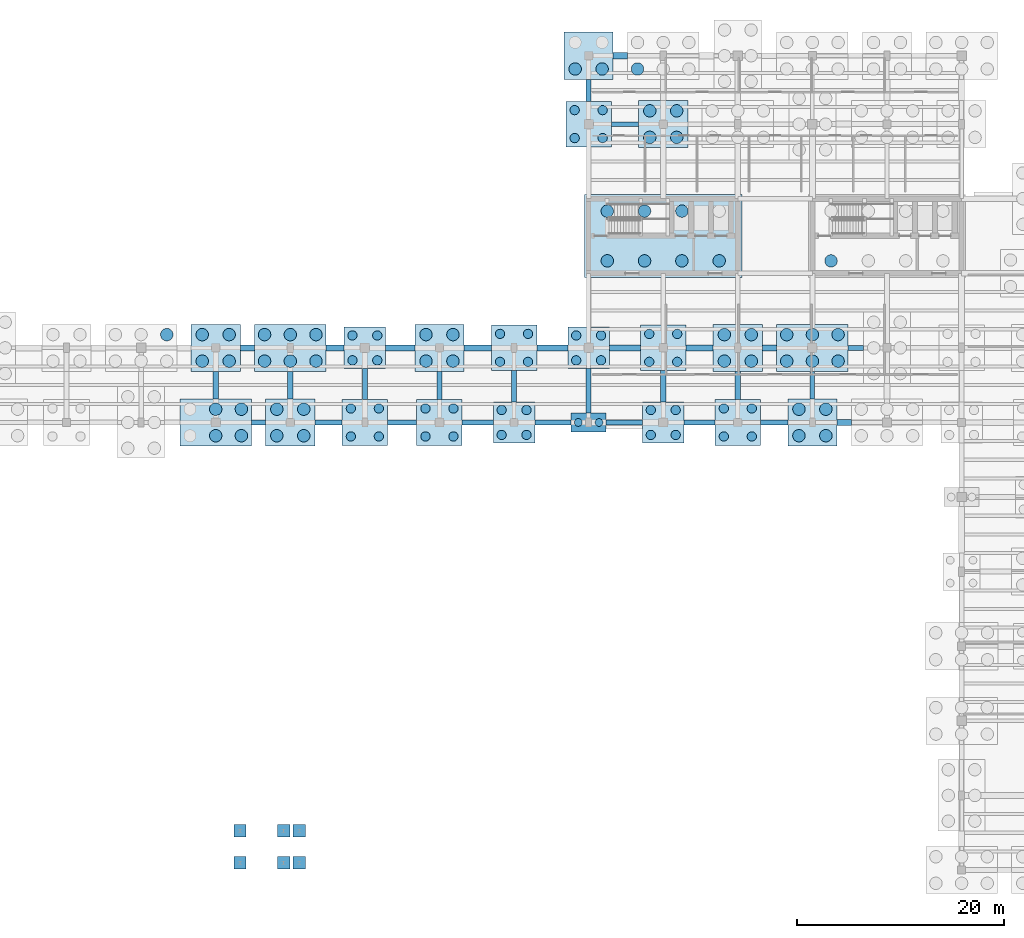
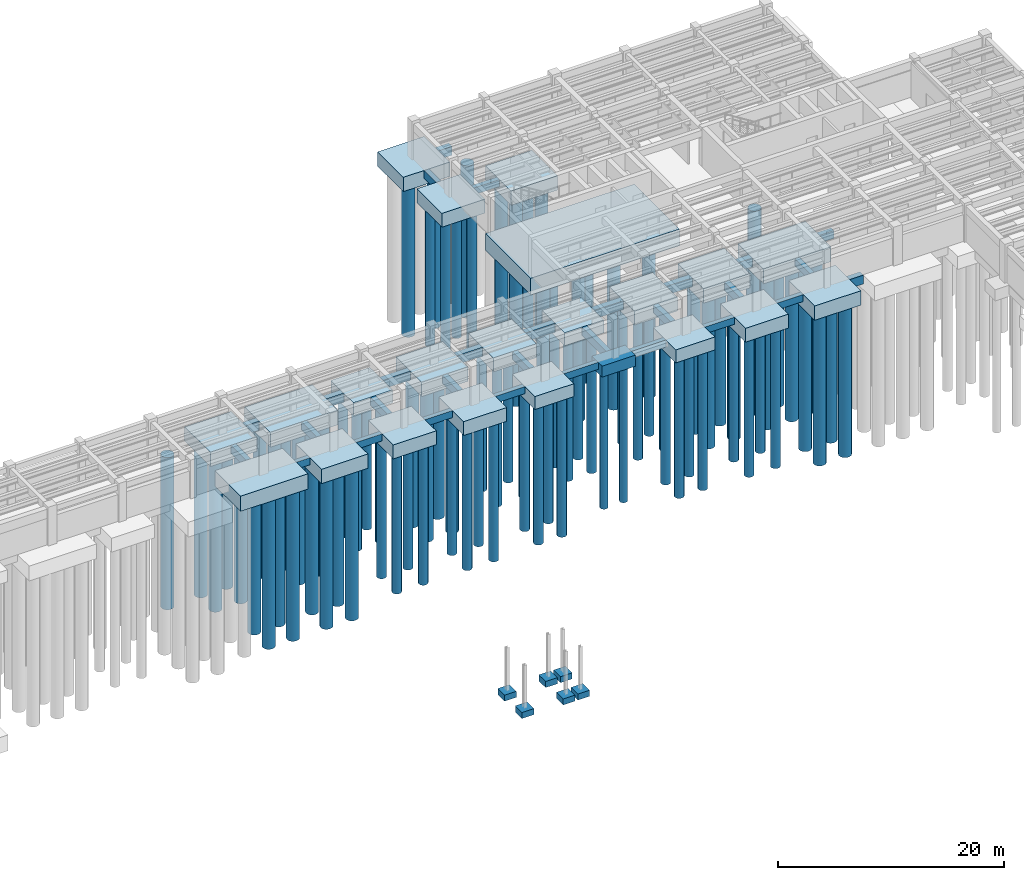
# One storey, part 2 of 22: 94 piles, 58 footings.
"""IFC4 building model written with IfcOpenShell, lengths in metres."""

from ifc_helpers import new_model, si_unit, direction, frame, origin, origin_2d, place, context, subcontext, project, spatial, rectangle, circle, extrude, material, material_profile, profile_set, type_object, element, save


model = new_model("IFC4")

# Units and contexts
model_context = context("Model", 3, precision=1e-05, world=origin(), true_north=direction((0.0, 1.0)))
body_context = subcontext(model_context, "Body", "Model", "MODEL_VIEW")
ifc_project = project(units=[si_unit("LENGTHUNIT", "METRE"), si_unit("AREAUNIT", "SQUARE_METRE"), si_unit("VOLUMEUNIT", "CUBIC_METRE"), si_unit("PLANEANGLEUNIT", "RADIAN"), si_unit("MASSUNIT", "GRAM", prefix="KILO")], contexts=[model_context])

# Site, building, storey
site_placement = place(None, origin())
site = spatial("IfcSite", under=ifc_project, at=site_placement, CompositionType="ELEMENT")
building_placement = place(site_placement, origin())
building = spatial("IfcBuilding", under=site, at=building_placement, Name="Mithqara Police Headquarters", CompositionType="ELEMENT")
storey_placement = place(building_placement, frame((0.0, 0.0, -8.39990234375)))
storey = spatial("IfcBuildingStorey", under=building, at=storey_placement, Name="B2", CompositionType="ELEMENT", Elevation=-8.39990234375)

# Footings
ifc_material = material(Name="Concrete C40/50", Category="concrete")
footing_type_1 = type_object("IfcFootingType", Name="CORE MAT 15200X8000X1800", PredefinedType="PILE_CAP", material=ifc_material)
footing_1_placement = place(storey_placement, frame((115.800048828125, 96.60009765625, -1.80029296875), z_axis=(0.0, 0.0, 1.0), x_axis=(1.0, 0.0, 0.0)))
element("IfcFooting", 1, at=footing_1_placement, inside=storey, type_object=footing_type_1, Name="Core C1 Command West Piled Core Raft", PredefinedType="PILE_CAP", context=body_context, shape_type="SweptSolid", body=[
    extrude(rectangle(XDim=15.199951171875, YDim=8.0, at=origin_2d()), origin(), (0.0, 0.0, 1.0), 1.800048828125),
])
footing_type_2 = type_object("IfcFootingType", Name="GROUND BEAM 450X750", PredefinedType="FOOTING_BEAM", material=ifc_material)
footing_2_placement = place(storey_placement, frame((76.737548828125, 78.60009765625, -0.75), z_axis=(0.0, 0.0, 1.0), x_axis=(1.0, 0.0, 0.0)))
element("IfcFooting", 2, at=footing_2_placement, inside=storey, type_object=footing_type_2, Name="B2 Ground Tie Beam 11-12/M", PredefinedType="FOOTING_BEAM", context=body_context, shape_type="SweptSolid", body=[
    extrude(rectangle(XDim=1.375, YDim=0.449951171875, at=origin_2d()), origin(), (0.0, 0.0, 1.0), 0.75),
])
footing_3_placement = place(storey_placement, frame((83.487548828125, 78.60009765625, -0.75), z_axis=(0.0, 0.0, 1.0), x_axis=(1.0, 0.0, 0.0)))
element("IfcFooting", 3, at=footing_3_placement, inside=storey, type_object=footing_type_2, Name="B2 Ground Tie Beam 12-13/M", PredefinedType="FOOTING_BEAM", context=body_context, shape_type="SweptSolid", body=[
    extrude(rectangle(XDim=2.625, YDim=0.449951171875, at=origin_2d()), origin(), (0.0, 0.0, 1.0), 0.75),
])
footing_4_placement = place(storey_placement, frame((90.60009765625, 78.60009765625, -0.75), z_axis=(0.0, 0.0, 1.0), x_axis=(1.0, 0.0, 0.0)))
element("IfcFooting", 4, at=footing_4_placement, inside=storey, type_object=footing_type_2, Name="B2 Ground Tie Beam 13-14/M", PredefinedType="FOOTING_BEAM", context=body_context, shape_type="SweptSolid", body=[
    extrude(rectangle(XDim=2.800048828125, YDim=0.449951171875, at=origin_2d()), origin(), (0.0, 0.0, 1.0), 0.75),
])
footing_5_placement = place(storey_placement, frame((97.89990234375, 78.60009765625, -0.75), z_axis=(0.0, 0.0, 1.0), x_axis=(1.0, 0.0, 0.0)))
element("IfcFooting", 5, at=footing_5_placement, inside=storey, type_object=footing_type_2, Name="B2 Ground Tie Beam 14-15/M", PredefinedType="FOOTING_BEAM", context=body_context, shape_type="SweptSolid", body=[
    extrude(rectangle(XDim=3.0, YDim=0.449951171875, at=origin_2d()), origin(), (0.0, 0.0, 1.0), 0.75),
])
for number, where, z_axis, x_axis, name in (
    (6, (105.14990234375, 78.60009765625, -0.75), (0.0, 0.0, 1.0), (1.0, 0.0, 0.0), "B2 Ground Tie Beam 15-16/M"),
    (7, (112.050048828125, 78.60009765625, -0.75), (0.0, 0.0, 1.0), (1.0, 0.0, 0.0), "B2 Ground Tie Beam 16-17/M"),
):
    element("IfcFooting", number, at=place(storey_placement, frame(where, z_axis=z_axis, x_axis=x_axis)), inside=storey, type_object=footing_type_2, Name=name, PredefinedType="FOOTING_BEAM", context=body_context, shape_type="SweptSolid", body=[
        extrude(rectangle(XDim=3.5, YDim=0.449951171875, at=origin_2d()), origin(), (0.0, 0.0, 1.0), 0.75),
    ])
footing_6_placement = place(storey_placement, frame((112.112548828125, 107.39990234375, -0.75), z_axis=(0.0, 0.0, 1.0), x_axis=(1.0, 0.0, 0.0)))
element("IfcFooting", 8, at=footing_6_placement, inside=storey, type_object=footing_type_2, Name="B2 Ground Tie Beam 16-17/R", PredefinedType="FOOTING_BEAM", context=body_context, shape_type="SweptSolid", body=[
    extrude(rectangle(XDim=2.625, YDim=0.449951171875, at=origin_2d()), origin(), (0.0, 0.0, 1.0), 0.75),
])
footing_7_placement = place(storey_placement, frame((119.300048828125, 78.60009765625, -0.75), z_axis=(0.0, 0.0, 1.0), x_axis=(1.0, 0.0, 0.0)))
element("IfcFooting", 9, at=footing_7_placement, inside=storey, type_object=footing_type_2, Name="B2 Ground Tie Beam 17-18/M", PredefinedType="FOOTING_BEAM", context=body_context, shape_type="SweptSolid", body=[
    extrude(rectangle(XDim=3.0, YDim=0.449951171875, at=origin_2d()), origin(), (0.0, 0.0, 1.0), 0.75),
])
footing_8_placement = place(storey_placement, frame((126.512451171875, 78.60009765625, -0.75), z_axis=(0.0, 0.0, 1.0), x_axis=(1.0, 0.0, 0.0)))
element("IfcFooting", 10, at=footing_8_placement, inside=storey, type_object=footing_type_2, Name="B2 Ground Tie Beam 18-19/M", PredefinedType="FOOTING_BEAM", context=body_context, shape_type="SweptSolid", body=[
    extrude(rectangle(XDim=2.625, YDim=0.449951171875, at=origin_2d()), origin(), (0.0, 0.0, 1.0), 0.75),
])
footing_9_placement = place(storey_placement, frame((130.199951171875, 82.199951171875, -0.75), z_axis=(0.0, 0.0, 1.0), x_axis=(1.0, 0.0, 0.0)))
element("IfcFooting", 11, at=footing_9_placement, inside=storey, type_object=footing_type_2, Name="B2 Ground Tie Beam 19/M-N", PredefinedType="FOOTING_BEAM", context=body_context, shape_type="SweptSolid", body=[
    extrude(rectangle(XDim=0.449951171875, YDim=2.64990234375, at=origin_2d()), origin(), (0.0, 0.0, 1.0), 0.75),
])
footing_type_3 = type_object("IfcFootingType", Name="GROUND BEAM 500X850", PredefinedType="FOOTING_BEAM", material=ifc_material)
for number, where, z_axis, x_axis, name in (
    (12, (72.60009765625, 82.199951171875, -0.85009765625), (0.0, 0.0, 1.0), (1.0, 0.0, 0.0), "B2 Ground Tie Beam 11/M-N"),
    (13, (79.800048828125, 82.199951171875, -0.85009765625), (0.0, 0.0, 1.0), (1.0, 0.0, 0.0), "B2 Ground Tie Beam 12/M-N"),
):
    element("IfcFooting", number, at=place(storey_placement, frame(where, z_axis=z_axis, x_axis=x_axis)), inside=storey, type_object=footing_type_3, Name=name, PredefinedType="FOOTING_BEAM", context=body_context, shape_type="SweptSolid", body=[
        extrude(rectangle(XDim=0.5, YDim=2.64990234375, at=origin_2d()), origin(), (0.0, 0.0, 1.0), 0.85009765625),
    ])
footing_10_placement = place(storey_placement, frame((87.0, 82.300048828125, -0.85009765625), z_axis=(0.0, 0.0, 1.0), x_axis=(1.0, 0.0, 0.0)))
element("IfcFooting", 14, at=footing_10_placement, inside=storey, type_object=footing_type_3, Name="B2 Ground Tie Beam 13/M-N", PredefinedType="FOOTING_BEAM", context=body_context, shape_type="SweptSolid", body=[
    extrude(rectangle(XDim=0.5, YDim=3.0, at=origin_2d()), origin(), (0.0, 0.0, 1.0), 0.85009765625),
])
footing_11_placement = place(storey_placement, frame((94.199951171875, 82.16259765625, -0.85009765625), z_axis=(0.0, 0.0, 1.0), x_axis=(1.0, 0.0, 0.0)))
element("IfcFooting", 15, at=footing_11_placement, inside=storey, type_object=footing_type_3, Name="B2 Ground Tie Beam 14/M-N", PredefinedType="FOOTING_BEAM", context=body_context, shape_type="SweptSolid", body=[
    extrude(rectangle(XDim=0.5, YDim=2.72509765625, at=origin_2d()), origin(), (0.0, 0.0, 1.0), 0.85009765625),
])
footing_12_placement = place(storey_placement, frame((101.39990234375, 82.10009765625, -0.85009765625), z_axis=(0.0, 0.0, 1.0), x_axis=(1.0, 0.0, 0.0)))
element("IfcFooting", 16, at=footing_12_placement, inside=storey, type_object=footing_type_3, Name="B2 Ground Tie Beam 15/M-N", PredefinedType="FOOTING_BEAM", context=body_context, shape_type="SweptSolid", body=[
    extrude(rectangle(XDim=0.5, YDim=3.0, at=origin_2d()), origin(), (0.0, 0.0, 1.0), 0.85009765625),
])
footing_13_placement = place(storey_placement, frame((108.60009765625, 81.64990234375, -0.85009765625), z_axis=(0.0, 0.0, 1.0), x_axis=(1.0, 0.0, 0.0)))
element("IfcFooting", 17, at=footing_13_placement, inside=storey, type_object=footing_type_3, Name="B2 Ground Tie Beam 16/M-N", PredefinedType="FOOTING_BEAM", context=body_context, shape_type="SweptSolid", body=[
    extrude(rectangle(XDim=0.5, YDim=4.300048828125, at=origin_2d()), origin(), (0.0, 0.0, 1.0), 0.85009765625),
])
footing_14_placement = place(storey_placement, frame((108.60009765625, 110.66259765625, -0.85009765625), z_axis=(0.0, 0.0, 1.0), x_axis=(1.0, 0.0, 0.0)))
element("IfcFooting", 18, at=footing_14_placement, inside=storey, type_object=footing_type_3, Name="B2 Ground Tie Beam 16/R-S", PredefinedType="FOOTING_BEAM", context=body_context, shape_type="SweptSolid", body=[
    extrude(rectangle(XDim=0.5, YDim=2.125, at=origin_2d()), origin(), (0.0, 0.0, 1.0), 0.85009765625),
])
footing_15_placement = place(storey_placement, frame((115.800048828125, 82.10009765625, -0.85009765625), z_axis=(0.0, 0.0, 1.0), x_axis=(1.0, 0.0, 0.0)))
element("IfcFooting", 19, at=footing_15_placement, inside=storey, type_object=footing_type_3, Name="B2 Ground Tie Beam 17/M-N", PredefinedType="FOOTING_BEAM", context=body_context, shape_type="SweptSolid", body=[
    extrude(rectangle(XDim=0.5, YDim=3.0, at=origin_2d()), origin(), (0.0, 0.0, 1.0), 0.85009765625),
])
footing_16_placement = place(storey_placement, frame((123.0, 82.16259765625, -0.85009765625), z_axis=(0.0, 0.0, 1.0), x_axis=(1.0, 0.0, 0.0)))
element("IfcFooting", 20, at=footing_16_placement, inside=storey, type_object=footing_type_3, Name="B2 Ground Tie Beam 18/M-N", PredefinedType="FOOTING_BEAM", context=body_context, shape_type="SweptSolid", body=[
    extrude(rectangle(XDim=0.5, YDim=2.72509765625, at=origin_2d()), origin(), (0.0, 0.0, 1.0), 0.85009765625),
])
footing_17_placement = place(storey_placement, frame((134.387451171875, 85.800048828125, -0.85009765625), z_axis=(0.0, 0.0, 1.0), x_axis=(1.0, 0.0, 0.0)))
element("IfcFooting", 21, at=footing_17_placement, inside=storey, type_object=footing_type_3, Name="B2 Ground Tie Beam 19-20/N", PredefinedType="FOOTING_BEAM", context=body_context, shape_type="SweptSolid", body=[
    extrude(rectangle(XDim=1.47509765625, YDim=0.5, at=origin_2d()), origin(), (0.0, 0.0, 1.0), 0.85009765625),
])
footing_type_4 = type_object("IfcFootingType", Name="GROUND BEAM 600X950", PredefinedType="FOOTING_BEAM", material=ifc_material)
footing_18_placement = place(storey_placement, frame((75.66259765625, 85.800048828125, -0.9501953125), z_axis=(0.0, 0.0, 1.0), x_axis=(1.0, 0.0, 0.0)))
element("IfcFooting", 22, at=footing_18_placement, inside=storey, type_object=footing_type_4, Name="B2 Ground Tie Beam 11-12/N", PredefinedType="FOOTING_BEAM", context=body_context, shape_type="SweptSolid", body=[
    extrude(rectangle(XDim=1.375, YDim=0.60009765625, at=origin_2d()), origin(), (0.0, 0.0, 1.0), 0.949951171875),
])
footing_19_placement = place(storey_placement, frame((84.125, 85.800048828125, -0.9501953125), z_axis=(0.0, 0.0, 1.0), x_axis=(1.0, 0.0, 0.0)))
element("IfcFooting", 23, at=footing_19_placement, inside=storey, type_object=footing_type_4, Name="B2 Ground Tie Beam 12-13/N", PredefinedType="FOOTING_BEAM", context=body_context, shape_type="SweptSolid", body=[
    extrude(rectangle(XDim=1.75, YDim=0.60009765625, at=origin_2d()), origin(), (0.0, 0.0, 1.0), 0.949951171875),
])
footing_20_placement = place(storey_placement, frame((90.41259765625, 85.800048828125, -0.9501953125), z_axis=(0.0, 0.0, 1.0), x_axis=(1.0, 0.0, 0.0)))
element("IfcFooting", 24, at=footing_20_placement, inside=storey, type_object=footing_type_4, Name="B2 Ground Tie Beam 13-14/N", PredefinedType="FOOTING_BEAM", context=body_context, shape_type="SweptSolid", body=[
    extrude(rectangle(XDim=2.824951171875, YDim=0.60009765625, at=origin_2d()), origin(), (0.0, 0.0, 1.0), 0.949951171875),
])
footing_21_placement = place(storey_placement, frame((97.887451171875, 85.800048828125, -0.9501953125), z_axis=(0.0, 0.0, 1.0), x_axis=(1.0, 0.0, 0.0)))
element("IfcFooting", 25, at=footing_21_placement, inside=storey, type_object=footing_type_4, Name="B2 Ground Tie Beam 14-15/N", PredefinedType="FOOTING_BEAM", context=body_context, shape_type="SweptSolid", body=[
    extrude(rectangle(XDim=2.625, YDim=0.60009765625, at=origin_2d()), origin(), (0.0, 0.0, 1.0), 0.949951171875),
])
for number, where, z_axis, x_axis, name in (
    (26, (105.10009765625, 85.800048828125, -0.9501953125), (0.0, 0.0, 1.0), (1.0, 0.0, 0.0), "B2 Ground Tie Beam 15-16/N"),
    (27, (112.10009765625, 85.800048828125, -0.9501953125), (0.0, 0.0, 1.0), (1.0, 0.0, 0.0), "B2 Ground Tie Beam 16-17/N"),
):
    element("IfcFooting", number, at=place(storey_placement, frame(where, z_axis=z_axis, x_axis=x_axis)), inside=storey, type_object=footing_type_4, Name=name, PredefinedType="FOOTING_BEAM", context=body_context, shape_type="SweptSolid", body=[
        extrude(rectangle(XDim=3.0, YDim=0.60009765625, at=origin_2d()), origin(), (0.0, 0.0, 1.0), 0.949951171875),
    ])
footing_22_placement = place(storey_placement, frame((111.66259765625, 114.0, -0.9501953125), z_axis=(0.0, 0.0, 1.0), x_axis=(1.0, 0.0, 0.0)))
element("IfcFooting", 28, at=footing_22_placement, inside=storey, type_object=footing_type_4, Name="B2 Ground Tie Beam 16-17/S", PredefinedType="FOOTING_BEAM", context=body_context, shape_type="SweptSolid", body=[
    extrude(rectangle(XDim=1.375, YDim=0.60009765625, at=origin_2d()), origin(), (0.0, 0.0, 1.0), 0.949951171875),
])
footing_23_placement = place(storey_placement, frame((119.3125, 85.800048828125, -0.9501953125), z_axis=(0.0, 0.0, 1.0), x_axis=(1.0, 0.0, 0.0)))
element("IfcFooting", 29, at=footing_23_placement, inside=storey, type_object=footing_type_4, Name="B2 Ground Tie Beam 17-18/N", PredefinedType="FOOTING_BEAM", context=body_context, shape_type="SweptSolid", body=[
    extrude(rectangle(XDim=2.625, YDim=0.60009765625, at=origin_2d()), origin(), (0.0, 0.0, 1.0), 0.949951171875),
])
for number, where, z_axis, x_axis, name in (
    (30, (126.0625, 85.800048828125, -0.9501953125), (0.0, 0.0, 1.0), (1.0, 0.0, 0.0), "B2 Ground Tie Beam 18-19/N"),
    (31, (133.262451171875, 78.60009765625, -0.9501953125), (0.0, 0.0, 1.0), (1.0, 0.0, 0.0), "B2 Ground Tie Beam 19-20/M"),
):
    element("IfcFooting", number, at=place(storey_placement, frame(where, z_axis=z_axis, x_axis=x_axis)), inside=storey, type_object=footing_type_4, Name=name, PredefinedType="FOOTING_BEAM", context=body_context, shape_type="SweptSolid", body=[
        extrude(rectangle(XDim=1.375, YDim=0.60009765625, at=origin_2d()), origin(), (0.0, 0.0, 1.0), 0.949951171875),
    ])
footing_type_5 = type_object("IfcFootingType", Name="PAD FOOTING 1200X1200X650", PredefinedType="PAD_FOOTING", material=ifc_material)
for number, where, z_axis, x_axis, name in (
    (32, (74.949951171875, 36.10009765625, -1.10009765625), (0.0, 0.0, 1.0), (1.0, 0.0, 0.0), "B2 Hall Stair Support Footing"),
    (33, (74.949951171875, 39.199951171875, -1.10009765625), (0.0, 0.0, 1.0), (1.0, 0.0, 0.0), "B2 Hall Stair Support Footing"),
    (34, (79.14990234375, 36.10009765625, -1.10009765625), (0.0, 0.0, 1.0), (1.0, 0.0, 0.0), "B2 Hall Stair Support Footing"),
    (35, (79.14990234375, 39.199951171875, -1.10009765625), (0.0, 0.0, 1.0), (1.0, 0.0, 0.0), "B2 Hall Stair Support Footing"),
    (36, (80.64990234375, 36.10009765625, -1.10009765625), (0.0, 0.0, 1.0), (1.0, 0.0, 0.0), "B2 Hall Stair Support Footing"),
    (37, (80.64990234375, 39.199951171875, -1.10009765625), (0.0, 0.0, 1.0), (1.0, 0.0, 0.0), "B2 Hall Stair Support Footing"),
):
    element("IfcFooting", number, at=place(storey_placement, frame(where, z_axis=z_axis, x_axis=x_axis)), inside=storey, type_object=footing_type_5, Name=name, PredefinedType="PAD_FOOTING", context=body_context, shape_type="SweptSolid", body=[
        extrude(rectangle(XDim=1.199951171875, YDim=1.199951171875, at=origin_2d()), origin(), (0.0, 0.0, 1.0), 0.64990234375),
    ])
footing_type_6 = type_object("IfcFootingType", Name="PILE CAP 2P 3400X1800X1200", PredefinedType="PILE_CAP", material=ifc_material)
footing_24_placement = place(storey_placement, frame((108.60009765625, 78.60009765625, -1.2001953125), z_axis=(0.0, 0.0, 1.0), x_axis=(1.0, 0.0, 0.0)))
element("IfcFooting", 38, at=footing_24_placement, inside=storey, type_object=footing_type_6, Name="B2 Pile Cap 16/M", PredefinedType="PILE_CAP", context=body_context, shape_type="SweptSolid", body=[
    extrude(rectangle(XDim=3.39990234375, YDim=1.800048828125, at=origin_2d()), origin(), (0.0, 0.0, 1.0), 1.199951171875),
])
footing_type_7 = type_object("IfcFootingType", Name="PILE CAP 4P 4000X4000X1400", PredefinedType="PILE_CAP", material=ifc_material)
for number, where, z_axis, x_axis, name in (
    (39, (87.0, 85.800048828125, -1.400146484375), (0.0, 0.0, 1.0), (1.0, 0.0, 0.0), "B2 Pile Cap 13/N"),
    (40, (101.39990234375, 78.60009765625, -1.400146484375), (0.0, 0.0, 1.0), (1.0, 0.0, 0.0), "B2 Pile Cap 15/M"),
    (41, (108.60009765625, 85.800048828125, -1.400146484375), (0.0, 0.0, 1.0), (1.0, 0.0, 0.0), "B2 Pile Cap 16/N"),
    (42, (115.800048828125, 78.60009765625, -1.400146484375), (0.0, 0.0, 1.0), (1.0, 0.0, 0.0), "B2 Pile Cap 17/M"),
):
    element("IfcFooting", number, at=place(storey_placement, frame(where, z_axis=z_axis, x_axis=x_axis)), inside=storey, type_object=footing_type_7, Name=name, PredefinedType="PILE_CAP", context=body_context, shape_type="SweptSolid", body=[
        extrude(rectangle(XDim=4.0, YDim=4.0, at=origin_2d()), origin(), (0.0, 0.0, 1.0), 1.39990234375),
    ])
footing_type_8 = type_object("IfcFootingType", Name="PILE CAP 4P 4400X4400X1500", PredefinedType="PILE_CAP", material=ifc_material)
for number, where, z_axis, x_axis, name in (
    (43, (87.0, 78.60009765625, -1.5), (0.0, 0.0, 1.0), (1.0, 0.0, 0.0), "B2 Pile Cap 13/M"),
    (44, (94.199951171875, 78.60009765625, -1.5), (0.0, 0.0, 1.0), (1.0, 0.0, 0.0), "B2 Pile Cap 14/M"),
    (45, (101.39990234375, 85.800048828125, -1.5), (0.0, 0.0, 1.0), (1.0, 0.0, 0.0), "B2 Pile Cap 15/N"),
    (46, (108.60009765625, 107.39990234375, -1.5), (0.0, 0.0, 1.0), (1.0, 0.0, 0.0), "B2 Pile Cap 16/R"),
    (47, (115.800048828125, 85.800048828125, -1.5), (0.0, 0.0, 1.0), (1.0, 0.0, 0.0), "B2 Pile Cap 17/N"),
    (48, (123.0, 78.60009765625, -1.5), (0.0, 0.0, 1.0), (1.0, 0.0, 0.0), "B2 Pile Cap 18/M"),
):
    element("IfcFooting", number, at=place(storey_placement, frame(where, z_axis=z_axis, x_axis=x_axis)), inside=storey, type_object=footing_type_8, Name=name, PredefinedType="PILE_CAP", context=body_context, shape_type="SweptSolid", body=[
        extrude(rectangle(XDim=4.39990234375, YDim=4.39990234375, at=origin_2d()), origin(), (0.0, 0.0, 1.0), 1.5),
    ])
footing_type_9 = type_object("IfcFootingType", Name="PILE CAP 4P 4600X4000X1550", PredefinedType="PILE_CAP", material=ifc_material)
for number, where, z_axis, x_axis, name in (
    (49, (72.60009765625, 85.800048828125, -1.55029296875), (0.0, 0.0, 1.0), (1.0, 0.0, 0.0), "B2 Pile Cap 11/N"),
    (50, (79.800048828125, 78.60009765625, -1.55029296875), (0.0, 0.0, 1.0), (1.0, 0.0, 0.0), "B2 Pile Cap 12/M"),
    (51, (94.199951171875, 85.800048828125, -1.55029296875), (0.0, 0.0, 1.0), (1.0, 0.0, 0.0), "B2 Pile Cap 14/N"),
    (52, (108.60009765625, 114.0, -1.55029296875), (0.0, 0.0, 1.0), (1.0, 0.0, 0.0), "B2 Pile Cap 16/S"),
    (53, (115.800048828125, 107.39990234375, -1.55029296875), (0.0, 0.0, 1.0), (1.0, 0.0, 0.0), "B2 Pile Cap 17/R"),
    (54, (123.0, 85.800048828125, -1.55029296875), (0.0, 0.0, 1.0), (1.0, 0.0, 0.0), "B2 Pile Cap 18/N"),
    (55, (130.199951171875, 78.60009765625, -1.55029296875), (0.0, 0.0, 1.0), (1.0, 0.0, 0.0), "B2 Pile Cap 19/M"),
):
    element("IfcFooting", number, at=place(storey_placement, frame(where, z_axis=z_axis, x_axis=x_axis)), inside=storey, type_object=footing_type_9, Name=name, PredefinedType="PILE_CAP", context=body_context, shape_type="SweptSolid", body=[
        extrude(rectangle(XDim=4.75, YDim=4.550048828125, at=origin_2d()), origin(), (0.0, 0.0, 1.0), 1.550048828125),
    ])
footing_type_10 = type_object("IfcFootingType", Name="PILE CAP 6P 6000X3800X1600", PredefinedType="PILE_CAP", material=ifc_material)
for number, where, z_axis, x_axis, name in (
    (56, (79.800048828125, 85.800048828125, -1.60009765625), (0.0, 0.0, 1.0), (1.0, 0.0, 0.0), "B2 Pile Cap 12/N"),
    (57, (130.199951171875, 85.800048828125, -1.60009765625), (0.0, 0.0, 1.0), (1.0, 0.0, 0.0), "B2 Pile Cap 19/N"),
):
    element("IfcFooting", number, at=place(storey_placement, frame(where, z_axis=z_axis, x_axis=x_axis)), inside=storey, type_object=footing_type_10, Name=name, PredefinedType="PILE_CAP", context=body_context, shape_type="SweptSolid", body=[
        extrude(rectangle(XDim=6.89990234375, YDim=4.550048828125, at=origin_2d()), origin(), (0.0, 0.0, 1.0), 1.60009765625),
    ])
footing_type_11 = type_object("IfcFootingType", Name="PILE CAP 6P 6200X4000X1650", PredefinedType="PILE_CAP", material=ifc_material)
footing_25_placement = place(storey_placement, frame((72.60009765625, 78.60009765625, -1.650146484375), z_axis=(0.0, 0.0, 1.0), x_axis=(1.0, 0.0, 0.0)))
element("IfcFooting", 58, at=footing_25_placement, inside=storey, type_object=footing_type_11, Name="B2 Pile Cap 11/M", PredefinedType="PILE_CAP", context=body_context, shape_type="SweptSolid", body=[
    extrude(rectangle(XDim=6.89990234375, YDim=4.550048828125, at=origin_2d()), origin(), (0.0, 0.0, 1.0), 1.64990234375),
])

# Piles
ifc_material_profile_1 = material_profile(ifc_material, circle(Radius=0.60009765625, at=origin_2d()), Name="PILE D1200")
ifc_profile_set_1 = profile_set([ifc_material_profile_1], Name="Concrete C40/50")
pile_type_1 = type_object("IfcPileType", Name="PILE D1200 16M", PredefinedType="BORED", material=ifc_profile_set_1)
for number, where, z_axis, x_axis, name in (
    (59, (110.39990234375, 94.199951171875, -1.650146484375), (0.0, 0.0, -1.0), (1.0, 0.0, 0.0), "Core C1 Command West Bored Pile 1"),
    (60, (114.0, 94.199951171875, -1.650146484375), (0.0, 0.0, -1.0), (1.0, 0.0, 0.0), "Core C1 Command West Bored Pile 2"),
    (61, (117.60009765625, 94.199951171875, -1.650146484375), (0.0, 0.0, -1.0), (1.0, 0.0, 0.0), "Core C1 Command West Bored Pile 3"),
    (62, (121.199951171875, 94.199951171875, -1.650146484375), (0.0, 0.0, -1.0), (1.0, 0.0, 0.0), "Core C1 Command West Bored Pile 4"),
    (63, (110.39990234375, 99.0, -1.650146484375), (0.0, 0.0, -1.0), (1.0, 0.0, 0.0), "Core C1 Command West Bored Pile 5"),
    (64, (114.0, 99.0, -1.650146484375), (0.0, 0.0, -1.0), (1.0, 0.0, 0.0), "Core C1 Command West Bored Pile 6"),
    (65, (117.60009765625, 99.0, -1.650146484375), (0.0, 0.0, -1.0), (1.0, 0.0, 0.0), "Core C1 Command West Bored Pile 7"),
    (66, (132.0, 94.199951171875, -1.650146484375), (0.0, 0.0, -1.0), (1.0, 0.0, 0.0), "Core C2 Command East Bored Pile 1"),
    (67, (67.8798828125, 87.080078125, -1.5), (0.0, 0.0, -1.0), (1.0, 0.0, 0.0), "Bored Pile 10/N-6"),
    (68, (72.60009765625, 77.320068359375, -1.5), (0.0, 0.0, -1.0), (1.0, 0.0, 0.0), "Bored Pile 11/M-2"),
    (69, (75.080078125, 77.320068359375, -1.5), (0.0, 0.0, -1.0), (1.0, 0.0, 0.0), "Bored Pile 11/M-3"),
    (70, (72.60009765625, 79.8798828125, -1.5), (0.0, 0.0, -1.0), (1.0, 0.0, 0.0), "Bored Pile 11/M-5"),
    (71, (75.080078125, 79.8798828125, -1.5), (0.0, 0.0, -1.0), (1.0, 0.0, 0.0), "Bored Pile 11/M-6"),
    (72, (71.300048828125, 84.52001953125, -1.400146484375), (0.0, 0.0, -1.0), (1.0, 0.0, 0.0), "Bored Pile 11/N-1"),
    (73, (73.89990234375, 84.52001953125, -1.400146484375), (0.0, 0.0, -1.0), (1.0, 0.0, 0.0), "Bored Pile 11/N-2"),
    (74, (71.300048828125, 87.080078125, -1.400146484375), (0.0, 0.0, -1.0), (1.0, 0.0, 0.0), "Bored Pile 11/N-3"),
    (75, (73.89990234375, 87.080078125, -1.400146484375), (0.0, 0.0, -1.0), (1.0, 0.0, 0.0), "Bored Pile 11/N-4"),
    (76, (78.5, 77.320068359375, -1.400146484375), (0.0, 0.0, -1.0), (1.0, 0.0, 0.0), "Bored Pile 12/M-1"),
    (77, (81.10009765625, 77.320068359375, -1.400146484375), (0.0, 0.0, -1.0), (1.0, 0.0, 0.0), "Bored Pile 12/M-2"),
    (78, (78.5, 79.8798828125, -1.400146484375), (0.0, 0.0, -1.0), (1.0, 0.0, 0.0), "Bored Pile 12/M-3"),
    (79, (81.10009765625, 79.8798828125, -1.400146484375), (0.0, 0.0, -1.0), (1.0, 0.0, 0.0), "Bored Pile 12/M-4"),
    (80, (77.320068359375, 84.52001953125, -1.4501953125), (0.0, 0.0, -1.0), (1.0, 0.0, 0.0), "Bored Pile 12/N-1"),
    (81, (79.800048828125, 84.52001953125, -1.4501953125), (0.0, 0.0, -1.0), (1.0, 0.0, 0.0), "Bored Pile 12/N-2"),
    (82, (82.280029296875, 84.52001953125, -1.4501953125), (0.0, 0.0, -1.0), (1.0, 0.0, 0.0), "Bored Pile 12/N-3"),
    (83, (77.320068359375, 87.080078125, -1.4501953125), (0.0, 0.0, -1.0), (1.0, 0.0, 0.0), "Bored Pile 12/N-4"),
    (84, (79.800048828125, 87.080078125, -1.4501953125), (0.0, 0.0, -1.0), (1.0, 0.0, 0.0), "Bored Pile 12/N-5"),
    (85, (82.280029296875, 87.080078125, -1.4501953125), (0.0, 0.0, -1.0), (1.0, 0.0, 0.0), "Bored Pile 12/N-6"),
    (86, (92.89990234375, 84.52001953125, -1.400146484375), (0.0, 0.0, -1.0), (1.0, 0.0, 0.0), "Bored Pile 14/N-1"),
    (87, (95.5, 84.52001953125, -1.400146484375), (0.0, 0.0, -1.0), (1.0, 0.0, 0.0), "Bored Pile 14/N-2"),
    (88, (92.89990234375, 87.080078125, -1.400146484375), (0.0, 0.0, -1.0), (1.0, 0.0, 0.0), "Bored Pile 14/N-3"),
    (89, (95.5, 87.080078125, -1.400146484375), (0.0, 0.0, -1.0), (1.0, 0.0, 0.0), "Bored Pile 14/N-4"),
    (90, (107.300048828125, 112.719970703125, -1.400146484375), (0.0, 0.0, -1.0), (1.0, 0.0, 0.0), "Bored Pile 16/S-1"),
    (91, (109.89990234375, 112.719970703125, -1.400146484375), (0.0, 0.0, -1.0), (1.0, 0.0, 0.0), "Bored Pile 16/S-2"),
    (92, (114.5, 106.1201171875, -1.400146484375), (0.0, 0.0, -1.0), (1.0, 0.0, 0.0), "Bored Pile 17/R-1"),
    (93, (117.10009765625, 106.1201171875, -1.400146484375), (0.0, 0.0, -1.0), (1.0, 0.0, 0.0), "Bored Pile 17/R-2"),
    (94, (114.5, 108.679931640625, -1.400146484375), (0.0, 0.0, -1.0), (1.0, 0.0, 0.0), "Bored Pile 17/R-3"),
    (95, (117.10009765625, 108.679931640625, -1.400146484375), (0.0, 0.0, -1.0), (1.0, 0.0, 0.0), "Bored Pile 17/R-4"),
    (96, (113.320068359375, 112.719970703125, -1.4501953125), (0.0, 0.0, -1.0), (1.0, 0.0, 0.0), "Bored Pile 17/S-1"),
    (97, (121.699951171875, 84.52001953125, -1.400146484375), (0.0, 0.0, -1.0), (1.0, 0.0, 0.0), "Bored Pile 18/N-1"),
    (98, (124.300048828125, 84.52001953125, -1.400146484375), (0.0, 0.0, -1.0), (1.0, 0.0, 0.0), "Bored Pile 18/N-2"),
    (99, (121.699951171875, 87.080078125, -1.400146484375), (0.0, 0.0, -1.0), (1.0, 0.0, 0.0), "Bored Pile 18/N-3"),
    (100, (124.300048828125, 87.080078125, -1.400146484375), (0.0, 0.0, -1.0), (1.0, 0.0, 0.0), "Bored Pile 18/N-4"),
    (101, (128.89990234375, 77.320068359375, -1.400146484375), (0.0, 0.0, -1.0), (1.0, 0.0, 0.0), "Bored Pile 19/M-1"),
    (102, (131.5, 77.320068359375, -1.400146484375), (0.0, 0.0, -1.0), (1.0, 0.0, 0.0), "Bored Pile 19/M-2"),
    (103, (128.89990234375, 79.8798828125, -1.400146484375), (0.0, 0.0, -1.0), (1.0, 0.0, 0.0), "Bored Pile 19/M-3"),
    (104, (131.5, 79.8798828125, -1.400146484375), (0.0, 0.0, -1.0), (1.0, 0.0, 0.0), "Bored Pile 19/M-4"),
    (105, (127.719970703125, 84.52001953125, -1.4501953125), (0.0, 0.0, -1.0), (1.0, 0.0, 0.0), "Bored Pile 19/N-1"),
    (106, (130.199951171875, 84.52001953125, -1.4501953125), (0.0, 0.0, -1.0), (1.0, 0.0, 0.0), "Bored Pile 19/N-2"),
    (107, (132.679931640625, 84.52001953125, -1.4501953125), (0.0, 0.0, -1.0), (1.0, 0.0, 0.0), "Bored Pile 19/N-3"),
    (108, (127.719970703125, 87.080078125, -1.4501953125), (0.0, 0.0, -1.0), (1.0, 0.0, 0.0), "Bored Pile 19/N-4"),
    (109, (130.199951171875, 87.080078125, -1.4501953125), (0.0, 0.0, -1.0), (1.0, 0.0, 0.0), "Bored Pile 19/N-5"),
    (110, (132.679931640625, 87.080078125, -1.4501953125), (0.0, 0.0, -1.0), (1.0, 0.0, 0.0), "Bored Pile 19/N-6"),
):
    element("IfcPile", number, at=place(storey_placement, frame(where, z_axis=z_axis, x_axis=x_axis)), inside=storey, type_object=pile_type_1, Name=name, PredefinedType="BORED", context=body_context, shape_type="SweptSolid", body=[
        extrude(circle(Radius=0.60009765625, at=origin_2d()), origin(), (0.0, 0.0, 1.0), 16.449951171875),
    ])
ifc_material_profile_2 = material_profile(ifc_material, circle(Radius=0.375, at=origin_2d()), Name="PILE D750")
ifc_profile_set_2 = profile_set([ifc_material_profile_2], Name="Concrete C40/50")
pile_type_2 = type_object("IfcPileType", Name="PILE D750 14M", PredefinedType="BORED", material=ifc_profile_set_2)
for number, where, z_axis, x_axis, name in (
    (111, (107.60009765625, 78.60009765625, -1.050048828125), (0.0, 0.0, -1.0), (1.0, 0.0, 0.0), "Bored Pile 16/M-1"),
    (112, (109.60009765625, 78.60009765625, -1.050048828125), (0.0, 0.0, -1.0), (1.0, 0.0, 0.0), "Bored Pile 16/M-2"),
):
    element("IfcPile", number, at=place(storey_placement, frame(where, z_axis=z_axis, x_axis=x_axis)), inside=storey, type_object=pile_type_2, Name=name, PredefinedType="BORED", context=body_context, shape_type="SweptSolid", body=[
        extrude(circle(Radius=0.375, at=origin_2d()), origin(), (0.0, 0.0, 1.0), 14.949951171875),
    ])
ifc_material_profile_3 = material_profile(ifc_material, circle(Radius=0.449951171875, at=origin_2d()), Name="PILE D900")
ifc_profile_set_3 = profile_set([ifc_material_profile_3], Name="Concrete C40/50")
pile_type_3 = type_object("IfcPileType", Name="PILE D900 15M", PredefinedType="BORED", material=ifc_profile_set_3)
for number, where, z_axis, x_axis, name in (
    (113, (85.64990234375, 77.25, -1.35009765625), (0.0, 0.0, -1.0), (1.0, 0.0, 0.0), "Bored Pile 13/M-1"),
    (114, (88.35009765625, 77.25, -1.35009765625), (0.0, 0.0, -1.0), (1.0, 0.0, 0.0), "Bored Pile 13/M-2"),
    (115, (85.64990234375, 79.949951171875, -1.35009765625), (0.0, 0.0, -1.0), (1.0, 0.0, 0.0), "Bored Pile 13/M-3"),
    (116, (88.35009765625, 79.949951171875, -1.35009765625), (0.0, 0.0, -1.0), (1.0, 0.0, 0.0), "Bored Pile 13/M-4"),
    (117, (85.800048828125, 84.60009765625, -1.25), (0.0, 0.0, -1.0), (1.0, 0.0, 0.0), "Bored Pile 13/N-1"),
    (118, (88.199951171875, 84.60009765625, -1.25), (0.0, 0.0, -1.0), (1.0, 0.0, 0.0), "Bored Pile 13/N-2"),
    (119, (85.800048828125, 87.0, -1.25), (0.0, 0.0, -1.0), (1.0, 0.0, 0.0), "Bored Pile 13/N-3"),
    (120, (88.199951171875, 87.0, -1.25), (0.0, 0.0, -1.0), (1.0, 0.0, 0.0), "Bored Pile 13/N-4"),
    (121, (92.85009765625, 77.25, -1.35009765625), (0.0, 0.0, -1.0), (1.0, 0.0, 0.0), "Bored Pile 14/M-1"),
    (122, (95.550048828125, 77.25, -1.35009765625), (0.0, 0.0, -1.0), (1.0, 0.0, 0.0), "Bored Pile 14/M-2"),
    (123, (92.85009765625, 79.949951171875, -1.35009765625), (0.0, 0.0, -1.0), (1.0, 0.0, 0.0), "Bored Pile 14/M-3"),
    (124, (95.550048828125, 79.949951171875, -1.35009765625), (0.0, 0.0, -1.0), (1.0, 0.0, 0.0), "Bored Pile 14/M-4"),
    (125, (100.199951171875, 77.39990234375, -1.25), (0.0, 0.0, -1.0), (1.0, 0.0, 0.0), "Bored Pile 15/M-1"),
    (126, (102.60009765625, 77.39990234375, -1.25), (0.0, 0.0, -1.0), (1.0, 0.0, 0.0), "Bored Pile 15/M-2"),
    (127, (100.199951171875, 79.800048828125, -1.25), (0.0, 0.0, -1.0), (1.0, 0.0, 0.0), "Bored Pile 15/M-3"),
    (128, (102.60009765625, 79.800048828125, -1.25), (0.0, 0.0, -1.0), (1.0, 0.0, 0.0), "Bored Pile 15/M-4"),
    (129, (100.050048828125, 84.449951171875, -1.35009765625), (0.0, 0.0, -1.0), (1.0, 0.0, 0.0), "Bored Pile 15/N-1"),
    (130, (102.75, 84.449951171875, -1.35009765625), (0.0, 0.0, -1.0), (1.0, 0.0, 0.0), "Bored Pile 15/N-2"),
    (131, (100.050048828125, 87.14990234375, -1.35009765625), (0.0, 0.0, -1.0), (1.0, 0.0, 0.0), "Bored Pile 15/N-3"),
    (132, (102.75, 87.14990234375, -1.35009765625), (0.0, 0.0, -1.0), (1.0, 0.0, 0.0), "Bored Pile 15/N-4"),
    (133, (107.39990234375, 84.60009765625, -1.25), (0.0, 0.0, -1.0), (1.0, 0.0, 0.0), "Bored Pile 16/N-1"),
    (134, (109.800048828125, 84.60009765625, -1.25), (0.0, 0.0, -1.0), (1.0, 0.0, 0.0), "Bored Pile 16/N-2"),
    (135, (107.39990234375, 87.0, -1.25), (0.0, 0.0, -1.0), (1.0, 0.0, 0.0), "Bored Pile 16/N-3"),
    (136, (109.800048828125, 87.0, -1.25), (0.0, 0.0, -1.0), (1.0, 0.0, 0.0), "Bored Pile 16/N-4"),
    (137, (107.25, 106.050048828125, -1.35009765625), (0.0, 0.0, -1.0), (1.0, 0.0, 0.0), "Bored Pile 16/R-1"),
    (138, (109.949951171875, 106.050048828125, -1.35009765625), (0.0, 0.0, -1.0), (1.0, 0.0, 0.0), "Bored Pile 16/R-2"),
    (139, (107.25, 108.75, -1.35009765625), (0.0, 0.0, -1.0), (1.0, 0.0, 0.0), "Bored Pile 16/R-3"),
    (140, (109.949951171875, 108.75, -1.35009765625), (0.0, 0.0, -1.0), (1.0, 0.0, 0.0), "Bored Pile 16/R-4"),
    (141, (114.60009765625, 77.39990234375, -1.25), (0.0, 0.0, -1.0), (1.0, 0.0, 0.0), "Bored Pile 17/M-1"),
    (142, (117.0, 77.39990234375, -1.25), (0.0, 0.0, -1.0), (1.0, 0.0, 0.0), "Bored Pile 17/M-2"),
    (143, (114.60009765625, 79.800048828125, -1.25), (0.0, 0.0, -1.0), (1.0, 0.0, 0.0), "Bored Pile 17/M-3"),
    (144, (117.0, 79.800048828125, -1.25), (0.0, 0.0, -1.0), (1.0, 0.0, 0.0), "Bored Pile 17/M-4"),
    (145, (114.449951171875, 84.449951171875, -1.35009765625), (0.0, 0.0, -1.0), (1.0, 0.0, 0.0), "Bored Pile 17/N-1"),
    (146, (117.14990234375, 84.449951171875, -1.35009765625), (0.0, 0.0, -1.0), (1.0, 0.0, 0.0), "Bored Pile 17/N-2"),
    (147, (114.449951171875, 87.14990234375, -1.35009765625), (0.0, 0.0, -1.0), (1.0, 0.0, 0.0), "Bored Pile 17/N-3"),
    (148, (117.14990234375, 87.14990234375, -1.35009765625), (0.0, 0.0, -1.0), (1.0, 0.0, 0.0), "Bored Pile 17/N-4"),
    (149, (121.64990234375, 77.25, -1.35009765625), (0.0, 0.0, -1.0), (1.0, 0.0, 0.0), "Bored Pile 18/M-1"),
    (150, (124.35009765625, 77.25, -1.35009765625), (0.0, 0.0, -1.0), (1.0, 0.0, 0.0), "Bored Pile 18/M-2"),
    (151, (121.64990234375, 79.949951171875, -1.35009765625), (0.0, 0.0, -1.0), (1.0, 0.0, 0.0), "Bored Pile 18/M-3"),
    (152, (124.35009765625, 79.949951171875, -1.35009765625), (0.0, 0.0, -1.0), (1.0, 0.0, 0.0), "Bored Pile 18/M-4"),
):
    element("IfcPile", number, at=place(storey_placement, frame(where, z_axis=z_axis, x_axis=x_axis)), inside=storey, type_object=pile_type_3, Name=name, PredefinedType="BORED", context=body_context, shape_type="SweptSolid", body=[
        extrude(circle(Radius=0.449951171875, at=origin_2d()), origin(), (0.0, 0.0, 1.0), 15.25),
    ])

save(model, "model.ifc")
